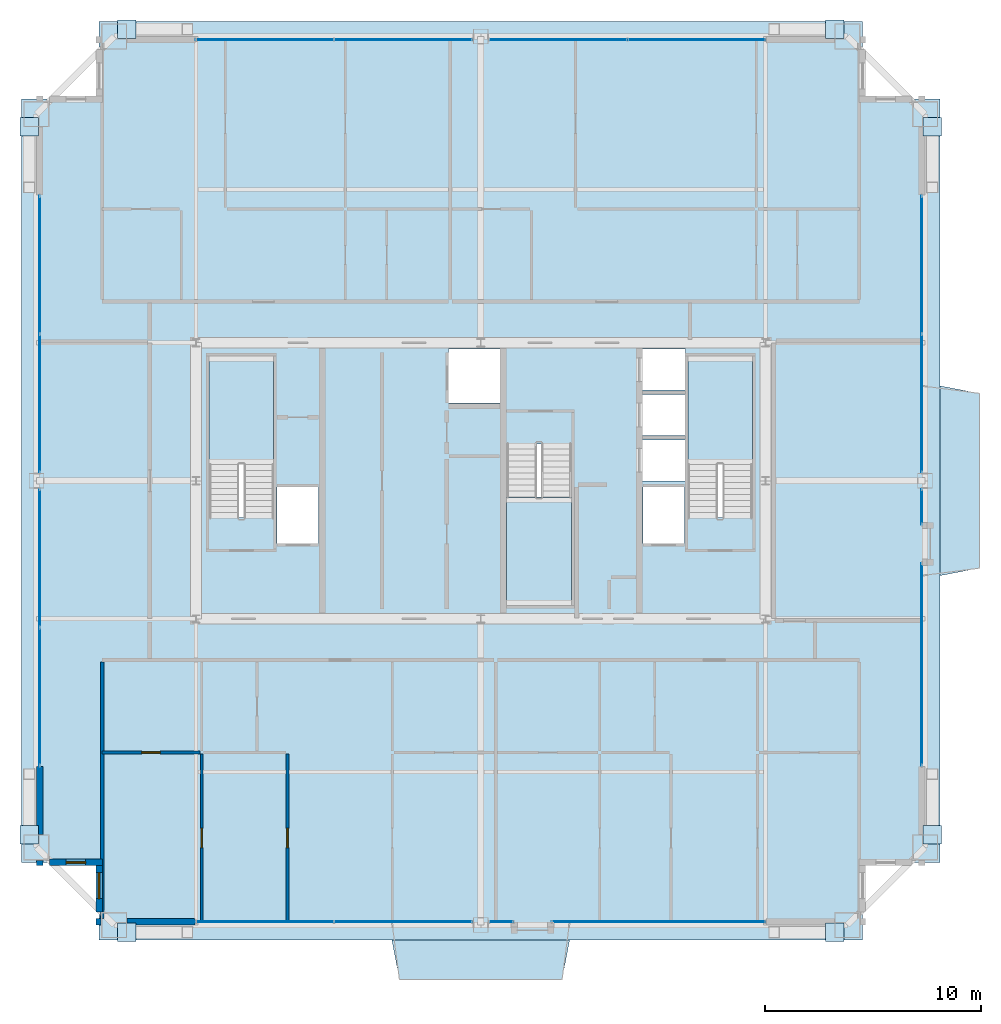
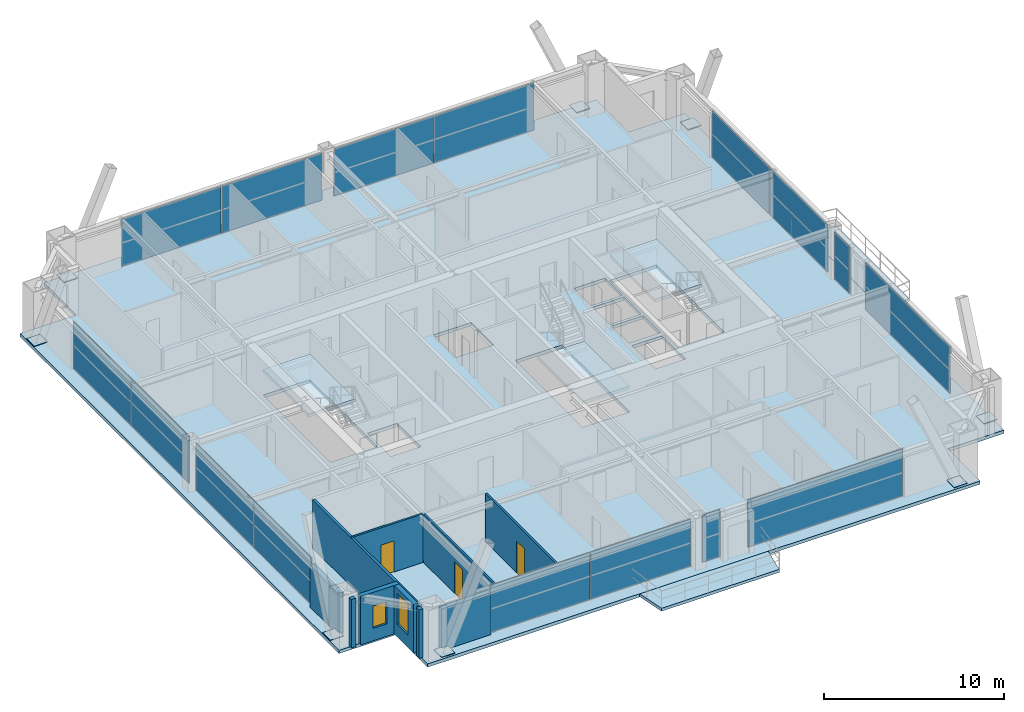
# One storey, part 31 of 37: 24 plates, 10 walls, 6 slabs, 3 doors, 2 windows, 5 openings, 13 elements without a shape of their own.
"""IFC4 building model written with IfcOpenShell, lengths in metres."""

import ifcopenshell
import ifcopenshell.guid

model = None  # the IFC model being written
_history = None  # IfcOwnerHistory: only IFC2X3 demands one
_inside = {}  # id of a spatial element -> (the spatial element, [elements in it])
_under = {}  # id of a project, library or spatial element -> (it, [spatial elements below it])
_declared = {}  # id of a project -> (the project, [libraries it declares])
_typed = {}  # id of a type object -> (the type object, [elements of that type])
_made_of = {}  # id of a material, layer set ... -> (it, [elements and type objects made of it])


def new_model(schema):
    """Start an empty IFC model of exactly this schema.

    Asked for "IFC4X3", IfcOpenShell would pick the latest addendum, in which some entities
    have other attributes; the version numbers below select the first issue.
    IFC2X3 requires an IfcOwnerHistory on every rooted entity: one is made here for all.
    """
    global model, _history
    if schema == "IFC4X3":
        model = ifcopenshell.file(schema_version=(4, 3, 0, 0))
    else:
        model = ifcopenshell.file(schema=schema)
    _inside.clear()
    _under.clear()
    _declared.clear()
    _typed.clear()
    _made_of.clear()
    _history = None
    if model.schema == "IFC2X3":
        org = make("IfcOrganization", Name="unknown")
        user = make(
            "IfcPersonAndOrganization",
            ThePerson=make("IfcPerson", FamilyName="unknown"),
            TheOrganization=org,
        )
        app = make(
            "IfcApplication",
            ApplicationDeveloper=org,
            Version="unknown",
            ApplicationFullName="unknown",
            ApplicationIdentifier="unknown",
        )
        _history = make(
            "IfcOwnerHistory",
            OwningUser=user,
            OwningApplication=app,
            ChangeAction="ADDED",
            CreationDate=0,
        )
    return model


def make(cls, **values):
    """One entity of the class cls with the attributes given. An attribute that is None is left unset."""
    return model.create_entity(
        cls, **{name: value for name, value in values.items() if value is not None}
    )


def rooted(cls, **values):
    """An entity with a GlobalId (a new one), such as an element, a storey or a relation."""
    return make(cls, GlobalId=ifcopenshell.guid.new(), OwnerHistory=_history, **values)


def si_unit(unit_type, name, prefix=None):
    """IfcSIUnit, for example si_unit("LENGTHUNIT", "METRE", prefix="MILLI")."""
    return make("IfcSIUnit", UnitType=unit_type, Prefix=prefix, Name=name)


def assignment(units):
    """IfcUnitAssignment: the units of a project."""
    return None if units is None else make("IfcUnitAssignment", Units=units)


def point(xyz):
    """IfcCartesianPoint."""
    return None if xyz is None else make("IfcCartesianPoint", Coordinates=xyz)


def direction(xyz):
    """IfcDirection."""
    return None if xyz is None else make("IfcDirection", DirectionRatios=xyz)


def frame(location, z_axis=None, x_axis=None):
    """IfcAxis2Placement3D, a coordinate frame: its origin and axes. An axis left out is left unset."""
    return make(
        "IfcAxis2Placement3D",
        Location=point(location),
        Axis=direction(z_axis),
        RefDirection=direction(x_axis),
    )


def frame_2d(location, x_axis=None):
    """IfcAxis2Placement2D, a coordinate frame in the plane: its origin and x axis."""
    return make(
        "IfcAxis2Placement2D", Location=point(location), RefDirection=direction(x_axis)
    )


def origin():
    """The frame at (0, 0, 0) with its axes left unset."""
    return frame((0.0, 0.0, 0.0))


def origin_2d():
    """The frame at (0, 0) in the plane with its x axis left unset."""
    return frame_2d((0.0, 0.0))


def place(relative_to, where):
    """IfcLocalPlacement: puts the frame where relative to a parent placement (None: the world)."""
    return make(
        "IfcLocalPlacement", PlacementRelTo=relative_to, RelativePlacement=where
    )


def context(
    kind, dimensions, precision=None, world=None, true_north=None, identifier=None
):
    """IfcGeometricRepresentationContext, for example the 3D "Model" context."""
    return make(
        "IfcGeometricRepresentationContext",
        ContextIdentifier=identifier,
        ContextType=kind,
        CoordinateSpaceDimension=dimensions,
        Precision=precision,
        WorldCoordinateSystem=world,
        TrueNorth=true_north,
    )


def subcontext(parent, identifier, kind, view, scale=None):
    """IfcGeometricRepresentationSubContext, for example "Body" below "Model"."""
    return make(
        "IfcGeometricRepresentationSubContext",
        ContextIdentifier=identifier,
        ContextType=kind,
        ParentContext=parent,
        TargetScale=scale,
        TargetView=view,
    )


def project(units=None, contexts=None):
    """IfcProject with its units and contexts."""
    return rooted(
        "IfcProject",
        Name="project",
        RepresentationContexts=contexts,
        UnitsInContext=assignment(units),
    )


def spatial(cls, under=None, at=None, **own):
    """A site, building, storey or space (cls), placed at a placement, below another one or the project."""
    s = rooted(cls, ObjectPlacement=at, **own)
    if under is not None:
        _under.setdefault(under.id(), (under, []))[1].append(s)
    return s


def polyline(points):
    """IfcPolyline through the points."""
    return make("IfcPolyline", Points=[point(p) for p in points])


def profile(cls, at=None, kind="AREA", **sizes):
    """A parametric profile (cls). Its sizes go by their IFC names, for example OverallWidth=200.0."""
    return make(cls, ProfileType=kind, Position=at, **sizes)


def rectangle(**sizes):
    """IfcRectangleProfileDef."""
    return profile("IfcRectangleProfileDef", **sizes)


def outline(outer, holes=None, kind="AREA"):
    """IfcArbitraryClosedProfileDef: a profile drawn as a closed curve; with holes, ...WithVoids."""
    if holes is None:
        return make("IfcArbitraryClosedProfileDef", ProfileType=kind, OuterCurve=outer)
    return make(
        "IfcArbitraryProfileDefWithVoids",
        ProfileType=kind,
        OuterCurve=outer,
        InnerCurves=holes,
    )


def extrude(swept, where, along, depth):
    """IfcExtrudedAreaSolid: the profile swept, set in the frame where, extruded along a direction by depth."""
    return make(
        "IfcExtrudedAreaSolid",
        SweptArea=swept,
        Position=where,
        ExtrudedDirection=direction(along),
        Depth=depth,
    )


def shape(context_of_items, identifier, shape_type, items):
    """IfcShapeRepresentation: the items that make up one representation, for example the "Body"."""
    return make(
        "IfcShapeRepresentation",
        ContextOfItems=context_of_items,
        RepresentationIdentifier=identifier,
        RepresentationType=shape_type,
        Items=items,
    )


def source(mapping_origin, context_of_items, identifier, shape_type, items):
    """IfcRepresentationMap: a shape defined once, which mapped items show again and again."""
    return make(
        "IfcRepresentationMap",
        MappingOrigin=mapping_origin,
        MappedRepresentation=shape(context_of_items, identifier, shape_type, items),
    )


def transform(
    local_origin,
    x_axis=None,
    y_axis=None,
    z_axis=None,
    scale=None,
    scale2=None,
    scale3=None,
    uniform=True,
):
    """IfcCartesianTransformationOperator3D, or its non-uniform kind. x_axis, y_axis, z_axis: its Axis1, 2, 3."""
    if uniform:
        return make(
            "IfcCartesianTransformationOperator3D",
            Axis1=direction(x_axis),
            Axis2=direction(y_axis),
            LocalOrigin=point(local_origin),
            Scale=scale,
            Axis3=direction(z_axis),
        )
    return make(
        "IfcCartesianTransformationOperator3DnonUniform",
        Axis1=direction(x_axis),
        Axis2=direction(y_axis),
        LocalOrigin=point(local_origin),
        Scale=scale,
        Axis3=direction(z_axis),
        Scale2=scale2,
        Scale3=scale3,
    )


def mapped(mapping_source, mapping_target):
    """IfcMappedItem: shows the shape of a source again, moved by a transform."""
    return make(
        "IfcMappedItem", MappingSource=mapping_source, MappingTarget=mapping_target
    )


def material(Name=None, Category=None):
    """IfcMaterial."""
    return make("IfcMaterial", Name=Name, Category=Category)


def layer(
    of_material, thickness, ventilated=None, Name=None, Category=None, Priority=None
):
    """IfcMaterialLayer: one layer of a wall or slab, of a material (None: an air gap)."""
    return make(
        "IfcMaterialLayer",
        Material=of_material,
        LayerThickness=thickness,
        IsVentilated=ventilated,
        Name=Name,
        Category=Category,
        Priority=Priority,
    )


def layer_set(layers, Name=None):
    """IfcMaterialLayerSet."""
    return make("IfcMaterialLayerSet", MaterialLayers=layers, LayerSetName=Name)


def made_of(thing, what):
    """Note that an element or type object is made of a material, layer set ...; save() writes the relation."""
    if what is not None:
        _made_of.setdefault(what.id(), (what, []))[1].append(thing)
    return thing


def type_object(cls, material=None, **own):
    """A type object (cls), such as IfcWallType, which elements share."""
    return made_of(rooted(cls, **own), material)


def element(
    cls,
    number,
    at=None,
    inside=None,
    cuts=None,
    type_object=None,
    material=None,
    context=None,
    identifier="Body",
    shape_type=None,
    held_by="IfcProductDefinitionShape",
    body=None,
    shapes=None,
    **own,
):
    """One element of the class cls, such as IfcWall. Its Tag is "e" and its number.

    at: its placement. inside: the storey or other place that contains it. cuts: it is an
    opening in that element (IfcRelVoidsElement). A single representation is given by context,
    identifier, shape_type and body (its items); several are given by shapes. held_by: the class
    of the entity that holds the representations. save() writes the other relations.
    """
    e = rooted(cls, Tag="e%d" % number, ObjectPlacement=at, **own)
    if body is not None:
        shapes = [shape(context, identifier, shape_type, body)]
    if shapes is not None:
        e.Representation = make(held_by, Representations=shapes)
    if inside is not None:
        _inside.setdefault(inside.id(), (inside, []))[1].append(e)
    if cuts is not None:
        rooted(
            "IfcRelVoidsElement", RelatingBuildingElement=cuts, RelatedOpeningElement=e
        )
    if type_object is not None:
        _typed.setdefault(type_object.id(), (type_object, []))[1].append(e)
    return made_of(e, material)


def fill(opening, filler):
    """IfcRelFillsElement: the door or window that sits in an opening."""
    return rooted(
        "IfcRelFillsElement",
        RelatingOpeningElement=opening,
        RelatedBuildingElement=filler,
    )


def aggregate(whole, parts):
    """IfcRelAggregates: a whole, such as a stair, and the parts it consists of."""
    return rooted("IfcRelAggregates", RelatingObject=whole, RelatedObjects=parts)


def save(model, path):
    """Write the relations noted so far, then the file.

    IfcRelAggregates (storeys below a building ...), IfcRelContainedInSpatialStructure (elements
    in a storey), IfcRelDefinesByType, IfcRelAssociatesMaterial and IfcRelDeclares: one each for
    every whole, place, type object, material and project.
    """
    for whole, parts in _under.values():
        aggregate(whole, parts)
    for where, things in _inside.values():
        rooted(
            "IfcRelContainedInSpatialStructure",
            RelatedElements=things,
            RelatingStructure=where,
        )
    for kind, things in _typed.values():
        rooted("IfcRelDefinesByType", RelatedObjects=things, RelatingType=kind)
    for what, things in _made_of.values():
        rooted("IfcRelAssociatesMaterial", RelatedObjects=things, RelatingMaterial=what)
    for by, libraries in _declared.values():
        rooted("IfcRelDeclares", RelatingContext=by, RelatedDefinitions=libraries)
    model.write(path)


model = new_model("IFC4")

# Units and contexts
model_context = context("Model", 3, precision=1e-05, world=origin(), true_north=direction((0.0, 1.0)))
body_context = subcontext(model_context, "Body", "Model", "MODEL_VIEW")
ifc_project = project(units=[si_unit("LENGTHUNIT", "METRE"), si_unit("AREAUNIT", "SQUARE_METRE"), si_unit("VOLUMEUNIT", "CUBIC_METRE"), si_unit("PLANEANGLEUNIT", "RADIAN"), si_unit("MASSUNIT", "GRAM", prefix="KILO"), si_unit("THERMODYNAMICTEMPERATUREUNIT", "KELVIN"), si_unit("POWERUNIT", "WATT")], contexts=[model_context])

# Site, building, storey
site_placement = place(None, origin())
site = spatial("IfcSite", under=ifc_project, at=site_placement, CompositionType="ELEMENT")
building_placement = place(site_placement, origin())
building = spatial("IfcBuilding", under=site, at=building_placement, Name="Yuzanri Waterfront Tower", CompositionType="ELEMENT")
storey_placement = place(building_placement, frame((0.0, 0.0, 278.60009765625)))
storey = spatial("IfcBuildingStorey", under=building, at=storey_placement, Name="L74", CompositionType="ELEMENT", Elevation=278.60009765625)

# Slabs
ifc_material_1 = material(Name="Concrete C40", Category="concrete")
ifc_layer_1 = layer(ifc_material_1, 0.199951171875)
ifc_layer_set_1 = layer_set([ifc_layer_1], Name="Concrete C40")
slab_type_1 = type_object("IfcSlabType", Name="Concrete C40 Cantilevered Engawa Wave Terrace Slab 200", PredefinedType="FLOOR", material=ifc_layer_set_1)
slab_1_placement = place(storey_placement, frame((0.0, 0.0, -0.2001953125)))
element("IfcSlab", 1, at=slab_1_placement, inside=storey, type_object=slab_type_1, Name="L74 S Cantilevered Engawa Terrace Slab", PredefinedType="FLOOR", context=body_context, shape_type="SweptSolid", body=[
    extrude(outline(polyline([(32.87939453125, 4.5), (41.12060546875, 4.5), (40.7705078125, 2.675048828125), (33.2294921875, 2.675048828125), (32.87939453125, 4.5)])), origin(), (0.0, 0.0, 1.0), 0.2001953125),
])
slab_2_placement = place(storey_placement, frame((0.0, 0.0, -0.2001953125)))
element("IfcSlab", 2, at=slab_2_placement, inside=storey, type_object=slab_type_1, Name="L74 E Cantilevered Engawa Terrace Slab", PredefinedType="FLOOR", context=body_context, shape_type="SweptSolid", body=[
    extrude(outline(polyline([(58.300048828125, 21.39990234375), (60.125, 21.75), (60.125, 29.85009765625), (58.300048828125, 30.199951171875), (58.300048828125, 21.39990234375)])), origin(), (0.0, 0.0, 1.0), 0.2001953125),
])

# Stair, slab
ifc_material_2 = material(Name="Concrete C40", Category="concrete")
stair_type = type_object("IfcStairType", Name="Concrete C40 Core Dogleg Exit Stair", PredefinedType="HALF_TURN_STAIR", material=ifc_material_2)
stair_1_placement = place(storey_placement, origin())
stair_1 = element("IfcStair", 3, at=stair_1_placement, inside=storey, type_object=stair_type, Name="L74 Smoke-Proof Core Stair ST-01", PredefinedType="HALF_TURN_STAIR")
ifc_material_3 = material(Name="Concrete C40", Category="concrete")
ifc_layer_2 = layer(ifc_material_3, 0.179931640625)
ifc_layer_set_2 = layer_set([ifc_layer_2], Name="Concrete C40")
slab_type_2 = type_object("IfcSlabType", Name="Concrete C40 Stair Half-Landing Slab 180", PredefinedType="LANDING", material=ifc_layer_set_2)
slab_3_placement = place(storey_placement, frame((0.0, 0.0, 1.5498046875)))
slab_3 = element("IfcSlab", 4, at=slab_3_placement, type_object=slab_type_2, Name="ST-01 landing 1", PredefinedType="LANDING", context=body_context, shape_type="SweptSolid", body=[
    extrude(outline(polyline([(27.39990234375, 26.56005859375), (27.39990234375, 31.580078125), (24.39990234375, 31.580078125), (24.39990234375, 26.56005859375), (27.39990234375, 26.56005859375)])), origin(), (0.0, 0.0, 1.0), 0.2001953125),
])
aggregate(stair_1, [slab_3])

stair_2_placement = place(storey_placement, origin())
stair_2 = element("IfcStair", 5, at=stair_2_placement, inside=storey, type_object=stair_type, Name="L74 Smoke-Proof Core Stair ST-02", PredefinedType="HALF_TURN_STAIR")
slab_4_placement = place(storey_placement, frame((0.0, 0.0, 1.5498046875)))
slab_4 = element("IfcSlab", 6, at=slab_4_placement, type_object=slab_type_2, Name="ST-02 landing 1", PredefinedType="LANDING", context=body_context, shape_type="SweptSolid", body=[
    extrude(outline(polyline([(49.60009765625, 26.56005859375), (49.60009765625, 31.580078125), (46.60009765625, 31.580078125), (46.60009765625, 26.56005859375), (49.60009765625, 26.56005859375)])), origin(), (0.0, 0.0, 1.0), 0.2001953125),
])
aggregate(stair_2, [slab_4])

stair_3_placement = place(storey_placement, origin())
stair_3 = element("IfcStair", 7, at=stair_3_placement, inside=storey, type_object=stair_type, Name="L74 Smoke-Proof Core Stair ST-03", PredefinedType="HALF_TURN_STAIR")
slab_5_placement = place(storey_placement, frame((0.0, 0.0, 1.5498046875)))
slab_5 = element("IfcSlab", 8, at=slab_5_placement, type_object=slab_type_2, Name="ST-03 landing 1", PredefinedType="LANDING", context=body_context, shape_type="SweptSolid", body=[
    extrude(outline(polyline([(38.199951171875, 25.0400390625), (38.199951171875, 20.02001953125), (41.199951171875, 20.02001953125), (41.199951171875, 25.0400390625), (38.199951171875, 25.0400390625)])), origin(), (0.0, 0.0, 1.0), 0.2001953125),
])
aggregate(stair_3, [slab_5])

# Slab
ifc_material_4 = material(Name="Concrete C40", Category="concrete")
ifc_layer_3 = layer(ifc_material_4, 0.219970703125)
ifc_layer_set_3 = layer_set([ifc_layer_3], Name="Concrete C40")
slab_type_3 = type_object("IfcSlabType", Name="Concrete C40 Tower Typical Structural Floor Slab 220", PredefinedType="FLOOR", material=ifc_layer_set_3)
slab_6_placement = place(storey_placement, frame((0.0, 0.0, -0.22021484375)))
element("IfcSlab", 9, at=slab_6_placement, inside=storey, type_object=slab_type_3, Name="L74 Main Structural Floor Slab", PredefinedType="FLOOR", context=body_context, shape_type="SweptSolid", body=[
    extrude(outline(polyline([(19.300048828125, 4.5), (54.699951171875, 4.5), (54.699951171875, 8.10009765625), (58.300048828125, 8.10009765625), (58.300048828125, 43.5), (54.699951171875, 43.5), (54.699951171875, 47.10009765625), (19.300048828125, 47.10009765625), (19.300048828125, 43.5), (15.699951171875, 43.5), (15.699951171875, 8.10009765625), (19.300048828125, 8.10009765625), (19.300048828125, 4.5)]), holes=[polyline([(27.39990234375, 24.10009765625), (27.39990234375, 31.580078125), (24.39990234375, 31.580078125), (24.39990234375, 24.10009765625), (27.39990234375, 24.10009765625)]), polyline([(49.60009765625, 24.10009765625), (49.60009765625, 31.580078125), (46.60009765625, 31.580078125), (46.60009765625, 24.10009765625), (49.60009765625, 24.10009765625)]), polyline([(38.199951171875, 27.5), (38.199951171875, 20.02001953125), (41.199951171875, 20.02001953125), (41.199951171875, 27.5), (38.199951171875, 27.5)]), polyline([(27.56005859375, 22.89990234375), (29.47998046875, 22.89990234375), (29.47998046875, 25.5), (27.56005859375, 25.5), (27.56005859375, 22.89990234375)]), polyline([(44.52001953125, 22.89990234375), (46.43994140625, 22.89990234375), (46.43994140625, 25.5), (44.52001953125, 25.5), (44.52001953125, 22.89990234375)]), polyline([(35.5, 29.39990234375), (37.89990234375, 29.39990234375), (37.89990234375, 31.89990234375), (35.5, 31.89990234375), (35.5, 29.39990234375)]), polyline([(44.5, 25.800048828125), (46.5, 25.800048828125), (46.5, 27.699951171875), (44.5, 27.699951171875), (44.5, 25.800048828125)]), polyline([(44.5, 27.89990234375), (46.5, 27.89990234375), (46.5, 29.800048828125), (44.5, 29.800048828125), (44.5, 27.89990234375)]), polyline([(44.5, 30.0), (46.5, 30.0), (46.5, 31.89990234375), (44.5, 31.89990234375), (44.5, 30.0)])]), origin(), (0.0, 0.0, 1.0), 0.22021484375),
])

# Plates
ifc_material_5 = material(Name="Steel Q420GJC", Category="steel")
ifc_layer_4 = layer(ifc_material_5, 0.0400390625)
ifc_layer_set_4 = layer_set([ifc_layer_4], Name="Steel Q420GJC")
plate_type_1 = type_object("IfcPlateType", Name="Steel Q420GJC Mega-Brace Gusset and End-Cap Plate 40", PredefinedType="SHEET", material=ifc_layer_set_4)
shared_shape_1 = source(origin(), body_context, "Body", "SweptSolid", [
    extrude(rectangle(XDim=0.85009765625, YDim=0.85009765625, at=origin_2d()), origin(), (0.0, 0.0, 1.0), 0.0400390625),
])
for number, where, z_axis, x_axis, name in (
    (10, (20.580078125, 4.860107421875, 0.159912109375), (0.0, 0.0, 1.0), (1.0, 0.0, 0.0), "L74 Mega-Brace Foot Cap Plate S-L"),
    (11, (53.419921875, 4.860107421875, 0.159912109375), (0.0, 0.0, 1.0), (1.0, 0.0, 0.0), "L74 Mega-Brace Foot Cap Plate S-R"),
    (12, (20.580078125, 46.739990234375, 0.159912109375), (0.0, 0.0, 1.0), (1.0, 0.0, 0.0), "L74 Mega-Brace Foot Cap Plate N-L"),
    (13, (53.419921875, 46.739990234375, 0.159912109375), (0.0, 0.0, 1.0), (1.0, 0.0, 0.0), "L74 Mega-Brace Foot Cap Plate N-R"),
    (14, (16.06005859375, 9.3798828125, 0.159912109375), (0.0, 0.0, 1.0), (1.0, 0.0, 0.0), "L74 Mega-Brace Foot Cap Plate W-L"),
    (15, (16.06005859375, 42.219970703125, 0.159912109375), (0.0, 0.0, 1.0), (1.0, 0.0, 0.0), "L74 Mega-Brace Foot Cap Plate W-R"),
    (16, (57.93994140625, 9.3798828125, 0.159912109375), (0.0, 0.0, 1.0), (1.0, 0.0, 0.0), "L74 Mega-Brace Foot Cap Plate E-L"),
    (17, (57.93994140625, 42.219970703125, 0.159912109375), (0.0, 0.0, 1.0), (1.0, 0.0, 0.0), "L74 Mega-Brace Foot Cap Plate E-R"),
):
    element("IfcPlate", number, at=place(storey_placement, frame(where, z_axis=z_axis, x_axis=x_axis)), inside=storey, type_object=plate_type_1, Name=name, PredefinedType="SHEET", context=body_context, shape_type="MappedRepresentation", body=[
        mapped(shared_shape_1, transform((0.0, 0.0, 0.0), scale=1.0)),
    ])

# Curtain wall, plates
ifc_material_6 = material(Name="Anodized Architectural Bronze", Category="metal")
ifc_layer_5 = layer(ifc_material_6, 0.159912109375)
ifc_layer_set_5 = layer_set([ifc_layer_5], Name="Anodized Architectural Bronze")
curtain_wall_type = type_object("IfcCurtainWallType", Name="Anodized Bronze Mid-Rise Residential Acoustic Unitized Curtain Wall 7200", PredefinedType="NOTDEFINED", material=ifc_layer_set_5)
curtain_wall_1_placement = place(storey_placement, origin())
curtain_wall_1 = element("IfcCurtainWall", 18, at=curtain_wall_1_placement, inside=storey, type_object=curtain_wall_type, Name="L74 Curtain Wall CW-L74-SL", PredefinedType="NOTDEFINED")
ifc_material_7 = material(Name="Triple Low-E Laminated Insulated Glass", Category="glass")
ifc_layer_6 = layer(ifc_material_7, 0.0439453125)
ifc_layer_set_6 = layer_set([ifc_layer_6], Name="Triple Low-E Laminated Insulated Glass")
plate_type_2 = type_object("IfcPlateType", Name="Triple Glazed Acoustic Vision Glass Panel 44", PredefinedType="CURTAIN_PANEL", material=ifc_layer_set_6)
shared_shape_2 = source(origin(), body_context, "Body", "SweptSolid", [
    extrude(rectangle(XDim=6.3701171875, YDim=0.0439453125, at=origin_2d()), origin(), (0.0, 0.0, 1.0), 3.179931640625),
])
plate_1_placement = place(storey_placement, frame((26.97509765625, 5.35009765625, 0.0498046875), z_axis=(0.0, 0.0, 1.0), x_axis=(1.0, 0.0, 0.0)))
plate_1 = element("IfcPlate", 19, at=plate_1_placement, type_object=plate_type_2, Name="CW-L74-SL Vision Glass Panel 01", PredefinedType="CURTAIN_PANEL", context=body_context, shape_type="MappedRepresentation", body=[
    mapped(shared_shape_2, transform((0.0, 0.0, 0.0), scale=1.0)),
])
plate_2_placement = place(storey_placement, frame((33.425048828125, 5.35009765625, 0.0498046875), z_axis=(0.0, 0.0, 1.0), x_axis=(1.0, 0.0, 0.0)))
plate_2 = element("IfcPlate", 20, at=plate_2_placement, type_object=plate_type_2, Name="CW-L74-SL Vision Glass Panel 02", PredefinedType="CURTAIN_PANEL", context=body_context, shape_type="MappedRepresentation", body=[
    mapped(shared_shape_2, transform((0.0, 0.0, 0.0), scale=1.0)),
])
aggregate(curtain_wall_1, [plate_1, plate_2])

curtain_wall_2_placement = place(storey_placement, origin())
curtain_wall_2 = element("IfcCurtainWall", 21, at=curtain_wall_2_placement, inside=storey, type_object=curtain_wall_type, Name="L74 Curtain Wall CW-L74-NL", PredefinedType="NOTDEFINED")
plate_3_placement = place(storey_placement, frame((26.97509765625, 46.25, 0.0498046875), z_axis=(0.0, 0.0, 1.0), x_axis=(1.0, 0.0, 0.0)))
plate_3 = element("IfcPlate", 22, at=plate_3_placement, type_object=plate_type_2, Name="CW-L74-NL Vision Glass Panel 01", PredefinedType="CURTAIN_PANEL", context=body_context, shape_type="MappedRepresentation", body=[
    mapped(shared_shape_2, transform((0.0, 0.0, 0.0), scale=1.0)),
])
plate_4_placement = place(storey_placement, frame((33.425048828125, 46.25, 0.0498046875), z_axis=(0.0, 0.0, 1.0), x_axis=(1.0, 0.0, 0.0)))
plate_4 = element("IfcPlate", 23, at=plate_4_placement, type_object=plate_type_2, Name="CW-L74-NL Vision Glass Panel 02", PredefinedType="CURTAIN_PANEL", context=body_context, shape_type="MappedRepresentation", body=[
    mapped(shared_shape_2, transform((0.0, 0.0, 0.0), scale=1.0)),
])
aggregate(curtain_wall_2, [plate_3, plate_4])

curtain_wall_3_placement = place(storey_placement, origin())
curtain_wall_3 = element("IfcCurtainWall", 24, at=curtain_wall_3_placement, inside=storey, type_object=curtain_wall_type, Name="L74 Curtain Wall CW-L74-NR", PredefinedType="NOTDEFINED")
plate_5_placement = place(storey_placement, frame((40.574951171875, 46.25, 0.0498046875), z_axis=(0.0, 0.0, 1.0), x_axis=(1.0, 0.0, 0.0)))
plate_5 = element("IfcPlate", 25, at=plate_5_placement, type_object=plate_type_2, Name="CW-L74-NR Vision Glass Panel 01", PredefinedType="CURTAIN_PANEL", context=body_context, shape_type="MappedRepresentation", body=[
    mapped(shared_shape_2, transform((0.0, 0.0, 0.0), scale=1.0)),
])
plate_6_placement = place(storey_placement, frame((47.02490234375, 46.25, 0.0498046875), z_axis=(0.0, 0.0, 1.0), x_axis=(1.0, 0.0, 0.0)))
plate_6 = element("IfcPlate", 26, at=plate_6_placement, type_object=plate_type_2, Name="CW-L74-NR Vision Glass Panel 02", PredefinedType="CURTAIN_PANEL", context=body_context, shape_type="MappedRepresentation", body=[
    mapped(shared_shape_2, transform((0.0, 0.0, 0.0), scale=1.0)),
])
aggregate(curtain_wall_3, [plate_5, plate_6])

curtain_wall_4_placement = place(storey_placement, origin())
curtain_wall_4 = element("IfcCurtainWall", 27, at=curtain_wall_4_placement, inside=storey, type_object=curtain_wall_type, Name="L74 Curtain Wall CW-L74-WL", PredefinedType="NOTDEFINED")
plate_7_placement = place(storey_placement, frame((16.550048828125, 15.77490234375, 0.0498046875), z_axis=(0.0, 0.0, 1.0), x_axis=(0.0, 1.0, 0.0)))
plate_7 = element("IfcPlate", 28, at=plate_7_placement, type_object=plate_type_2, Name="CW-L74-WL Vision Glass Panel 01", PredefinedType="CURTAIN_PANEL", context=body_context, shape_type="MappedRepresentation", body=[
    mapped(shared_shape_2, transform((0.0, 0.0, 0.0), scale=1.0)),
])
plate_8_placement = place(storey_placement, frame((16.550048828125, 22.22509765625, 0.0498046875), z_axis=(0.0, 0.0, 1.0), x_axis=(0.0, 1.0, 0.0)))
plate_8 = element("IfcPlate", 29, at=plate_8_placement, type_object=plate_type_2, Name="CW-L74-WL Vision Glass Panel 02", PredefinedType="CURTAIN_PANEL", context=body_context, shape_type="MappedRepresentation", body=[
    mapped(shared_shape_2, transform((0.0, 0.0, 0.0), scale=1.0)),
])
aggregate(curtain_wall_4, [plate_7, plate_8])

curtain_wall_5_placement = place(storey_placement, origin())
curtain_wall_5 = element("IfcCurtainWall", 30, at=curtain_wall_5_placement, inside=storey, type_object=curtain_wall_type, Name="L74 Curtain Wall CW-L74-WR", PredefinedType="NOTDEFINED")
plate_9_placement = place(storey_placement, frame((16.550048828125, 29.375, 0.0498046875), z_axis=(0.0, 0.0, 1.0), x_axis=(0.0, 1.0, 0.0)))
plate_9 = element("IfcPlate", 31, at=plate_9_placement, type_object=plate_type_2, Name="CW-L74-WR Vision Glass Panel 01", PredefinedType="CURTAIN_PANEL", context=body_context, shape_type="MappedRepresentation", body=[
    mapped(shared_shape_2, transform((0.0, 0.0, 0.0), scale=1.0)),
])
plate_10_placement = place(storey_placement, frame((16.550048828125, 35.824951171875, 0.0498046875), z_axis=(0.0, 0.0, 1.0), x_axis=(0.0, 1.0, 0.0)))
plate_10 = element("IfcPlate", 32, at=plate_10_placement, type_object=plate_type_2, Name="CW-L74-WR Vision Glass Panel 02", PredefinedType="CURTAIN_PANEL", context=body_context, shape_type="MappedRepresentation", body=[
    mapped(shared_shape_2, transform((0.0, 0.0, 0.0), scale=1.0)),
])
aggregate(curtain_wall_5, [plate_9, plate_10])

curtain_wall_6_placement = place(storey_placement, origin())
curtain_wall_6 = element("IfcCurtainWall", 33, at=curtain_wall_6_placement, inside=storey, type_object=curtain_wall_type, Name="L74 Curtain Wall CW-L74-ER", PredefinedType="NOTDEFINED")
plate_11_placement = place(storey_placement, frame((57.449951171875, 29.375, 0.0498046875), z_axis=(0.0, 0.0, 1.0), x_axis=(0.0, 1.0, 0.0)))
plate_11 = element("IfcPlate", 34, at=plate_11_placement, type_object=plate_type_2, Name="CW-L74-ER Vision Glass Panel 01", PredefinedType="CURTAIN_PANEL", context=body_context, shape_type="MappedRepresentation", body=[
    mapped(shared_shape_2, transform((0.0, 0.0, 0.0), scale=1.0)),
])
plate_12_placement = place(storey_placement, frame((57.449951171875, 35.824951171875, 0.0498046875), z_axis=(0.0, 0.0, 1.0), x_axis=(0.0, 1.0, 0.0)))
plate_12 = element("IfcPlate", 35, at=plate_12_placement, type_object=plate_type_2, Name="CW-L74-ER Vision Glass Panel 02", PredefinedType="CURTAIN_PANEL", context=body_context, shape_type="MappedRepresentation", body=[
    mapped(shared_shape_2, transform((0.0, 0.0, 0.0), scale=1.0)),
])
aggregate(curtain_wall_6, [plate_11, plate_12])

# Curtain wall, plate
curtain_wall_7_placement = place(storey_placement, origin())
curtain_wall_7 = element("IfcCurtainWall", 36, at=curtain_wall_7_placement, inside=storey, type_object=curtain_wall_type, Name="L74 Curtain Wall CW-L74-SR1", PredefinedType="NOTDEFINED")
shared_shape_3 = source(origin(), body_context, "Body", "SweptSolid", [
    extrude(rectangle(XDim=1.1201171875, YDim=0.0439453125, at=origin_2d()), origin(), (0.0, 0.0, 1.0), 3.179931640625),
])
plate_13_placement = place(storey_placement, frame((37.949951171875, 5.35009765625, 0.0498046875), z_axis=(0.0, 0.0, 1.0), x_axis=(1.0, 0.0, 0.0)))
plate_13 = element("IfcPlate", 37, at=plate_13_placement, type_object=plate_type_2, Name="CW-L74-SR1 Vision Glass Panel 01", PredefinedType="CURTAIN_PANEL", context=body_context, shape_type="MappedRepresentation", body=[
    mapped(shared_shape_3, transform((0.0, 0.0, 0.0), scale=1.0)),
])
aggregate(curtain_wall_7, [plate_13])

curtain_wall_8_placement = place(storey_placement, origin())
curtain_wall_8 = element("IfcCurtainWall", 38, at=curtain_wall_8_placement, inside=storey, type_object=curtain_wall_type, Name="L74 Curtain Wall CW-L74-SR2", PredefinedType="NOTDEFINED")
shared_shape_4 = source(origin(), body_context, "Body", "SweptSolid", [
    extrude(rectangle(XDim=9.919921875, YDim=0.0439453125, at=origin_2d()), origin(), (0.0, 0.0, 1.0), 3.179931640625),
])
plate_14_placement = place(storey_placement, frame((45.25, 5.35009765625, 0.0498046875), z_axis=(0.0, 0.0, 1.0), x_axis=(1.0, 0.0, 0.0)))
plate_14 = element("IfcPlate", 39, at=plate_14_placement, type_object=plate_type_2, Name="CW-L74-SR2 Vision Glass Panel 01", PredefinedType="CURTAIN_PANEL", context=body_context, shape_type="MappedRepresentation", body=[
    mapped(shared_shape_4, transform((0.0, 0.0, 0.0), scale=1.0)),
])
aggregate(curtain_wall_8, [plate_14])

curtain_wall_9_placement = place(storey_placement, origin())
curtain_wall_9 = element("IfcCurtainWall", 40, at=curtain_wall_9_placement, inside=storey, type_object=curtain_wall_type, Name="L74 Curtain Wall CW-L74-EL1", PredefinedType="NOTDEFINED")
shared_shape_5 = source(origin(), body_context, "Body", "SweptSolid", [
    extrude(rectangle(XDim=9.39501953125, YDim=0.0439453125, at=origin_2d()), origin(), (0.0, 0.0, 1.0), 3.179931640625),
])
plate_15_placement = place(storey_placement, frame((57.449951171875, 17.28759765625, 0.0498046875), z_axis=(0.0, 0.0, 1.0), x_axis=(0.0, 1.0, 0.0)))
plate_15 = element("IfcPlate", 41, at=plate_15_placement, type_object=plate_type_2, Name="CW-L74-EL1 Vision Glass Panel 01", PredefinedType="CURTAIN_PANEL", context=body_context, shape_type="MappedRepresentation", body=[
    mapped(shared_shape_5, transform((0.0, 0.0, 0.0), scale=1.0)),
])
aggregate(curtain_wall_9, [plate_15])

curtain_wall_10_placement = place(storey_placement, origin())
curtain_wall_10 = element("IfcCurtainWall", 42, at=curtain_wall_10_placement, inside=storey, type_object=curtain_wall_type, Name="L74 Curtain Wall CW-L74-EL2", PredefinedType="NOTDEFINED")
shared_shape_6 = source(origin(), body_context, "Body", "SweptSolid", [
    extrude(rectangle(XDim=1.64501953125, YDim=0.0439453125, at=origin_2d()), origin(), (0.0, 0.0, 1.0), 3.179931640625),
])
plate_16_placement = place(storey_placement, frame((57.449951171875, 24.58740234375, 0.0498046875), z_axis=(0.0, 0.0, 1.0), x_axis=(0.0, 1.0, 0.0)))
plate_16 = element("IfcPlate", 43, at=plate_16_placement, type_object=plate_type_2, Name="CW-L74-EL2 Vision Glass Panel 01", PredefinedType="CURTAIN_PANEL", context=body_context, shape_type="MappedRepresentation", body=[
    mapped(shared_shape_6, transform((0.0, 0.0, 0.0), scale=1.0)),
])
aggregate(curtain_wall_10, [plate_16])

# Wall, opening, door
ifc_material_8 = material(Name="Moisture-Resistant Gypsum Stud Wall", Category="gypsum")
ifc_layer_7 = layer(ifc_material_8, 0.1201171875)
ifc_layer_set_7 = layer_set([ifc_layer_7], Name="Moisture-Resistant Gypsum Stud Wall")
wall_type_1 = type_object("IfcWallType", Name="Bathroom and Kitchen Wet Partition 120", PredefinedType="PARTITIONING", material=ifc_layer_set_7)
wall_1_placement = place(storey_placement, frame((19.43994140625, 13.199951171875, 0.0), z_axis=(0.0, 0.0, 1.0), x_axis=(1.0, 0.0, 0.0)))
wall_1 = element("IfcWall", 44, at=wall_1_placement, inside=storey, type_object=wall_type_1, Name="L74 Partition UW-L74-HS1-SUB-1-S", PredefinedType="PARTITIONING", context=body_context, shape_type="SweptSolid", body=[
    extrude(rectangle(XDim=4.545166015625, YDim=0.1201171875, at=frame_2d((2.2724609375, 0.0))), origin(), (0.0, 0.0, 1.0), 3.27978515625),
])
opening_1_placement = place(wall_1_placement, frame((1.847412109375, 0.0, 0.0)))
opening_1 = element("IfcOpeningElement", 45, at=opening_1_placement, cuts=wall_1, Name="Opening ID-0850", PredefinedType="OPENING", context=body_context, shape_type="SweptSolid", body=[
    extrude(rectangle(XDim=0.85009765625, YDim=2.10009765625, at=frame_2d((0.425048828125, 1.050048828125))), frame((0.0, 0.074951171875, 0.0), z_axis=(0.0, -1.0, 0.0), x_axis=(1.0, 0.0, 0.0)), (0.0, 0.0, 1.0), 0.14990234375),
])
ifc_material_9 = material(Name="Moisture-Resistant Lacquered Timber", Category="wood")
door_type_1 = type_object("IfcDoorType", Name="En-Suite Bathroom and Kitchen Swing Door 850x2100", OperationType="NOTDEFINED", PredefinedType="DOOR", material=ifc_material_9)
shared_shape_7 = source(origin(), body_context, "Body", "SweptSolid", [
    extrude(rectangle(XDim=0.85009765625, YDim=2.10009765625, at=frame_2d((0.425048828125, 1.050048828125))), frame((0.0, 0.02490234375, 0.0), z_axis=(0.0, -1.0, 0.0), x_axis=(1.0, 0.0, 0.0)), (0.0, 0.0, 1.0), 0.050048828125),
])
door_1_placement = place(opening_1_placement, origin())
door_1 = element("IfcDoor", 46, at=door_1_placement, inside=storey, type_object=door_type_1, Name="L74 Suite Interior Room Door", OperationType="SINGLE_SWING_RIGHT", OverallHeight=2.10009765625, OverallWidth=0.85009765625, PredefinedType="DOOR", context=body_context, shape_type="MappedRepresentation", body=[
    mapped(shared_shape_7, transform((0.0, 0.0, 0.0), scale=1.0)),
])
fill(opening_1, door_1)

wall_2_placement = place(storey_placement, frame((24.06494140625, 5.35009765625, 0.0), z_axis=(0.0, 0.0, 1.0), x_axis=(0.0, 1.0, 0.0)))
wall_2 = element("IfcWall", 47, at=wall_2_placement, inside=storey, type_object=wall_type_1, Name="L74 Partition UW-L74-HS1-SUB-4-E", PredefinedType="PARTITIONING", context=body_context, shape_type="SweptSolid", body=[
    extrude(rectangle(XDim=7.77001953125, YDim=0.1201171875, at=frame_2d((3.885009765625, 0.0))), origin(), (0.0, 0.0, 1.0), 3.27978515625),
])
opening_2_placement = place(wall_2_placement, frame((3.43505859375, 0.0, 0.0)))
opening_2 = element("IfcOpeningElement", 48, at=opening_2_placement, cuts=wall_2, Name="Opening ID-0900", PredefinedType="OPENING", context=body_context, shape_type="SweptSolid", body=[
    extrude(rectangle(XDim=0.89990234375, YDim=2.14990234375, at=frame_2d((0.449951171875, 1.074951171875))), frame((0.0, 0.074951171875, 0.0), z_axis=(0.0, -1.0, 0.0), x_axis=(1.0, 0.0, 0.0)), (0.0, 0.0, 1.0), 0.14990234375),
])
ifc_material_10 = material(Name="Stained Walnut Veneer Timber", Category="wood")
door_type_2 = type_object("IfcDoorType", Name="Bedroom and Study Interior Swing Door 900x2150", OperationType="NOTDEFINED", PredefinedType="DOOR", material=ifc_material_10)
shared_shape_8 = source(origin(), body_context, "Body", "SweptSolid", [
    extrude(rectangle(XDim=0.89990234375, YDim=2.14990234375, at=frame_2d((0.449951171875, 1.074951171875))), frame((0.0, 0.02490234375, 0.0), z_axis=(0.0, -1.0, 0.0), x_axis=(1.0, 0.0, 0.0)), (0.0, 0.0, 1.0), 0.050048828125),
])
door_2_placement = place(opening_2_placement, origin())
door_2 = element("IfcDoor", 49, at=door_2_placement, inside=storey, type_object=door_type_2, Name="L74 Suite Interior Room Door", OperationType="SINGLE_SWING_LEFT", OverallHeight=2.14990234375, OverallWidth=0.89990234375, PredefinedType="DOOR", context=body_context, shape_type="MappedRepresentation", body=[
    mapped(shared_shape_8, transform((0.0, 0.0, 0.0), scale=1.0)),
])
fill(opening_2, door_2)

wall_3_placement = place(storey_placement, frame((28.0400390625, 5.35009765625, 0.0), z_axis=(0.0, 0.0, 1.0), x_axis=(0.0, 1.0, 0.0)))
wall_3 = element("IfcWall", 50, at=wall_3_placement, inside=storey, type_object=wall_type_1, Name="L74 Partition UW-L74-HS1-SUB-6-E", PredefinedType="PARTITIONING", context=body_context, shape_type="SweptSolid", body=[
    extrude(rectangle(XDim=7.77001953125, YDim=0.1201171875, at=frame_2d((3.885009765625, 0.0))), origin(), (0.0, 0.0, 1.0), 3.27978515625),
])
opening_3_placement = place(wall_3_placement, frame((3.43505859375, 0.0, 0.0)))
opening_3 = element("IfcOpeningElement", 51, at=opening_3_placement, cuts=wall_3, Name="Opening ID-0900", PredefinedType="OPENING", context=body_context, shape_type="SweptSolid", body=[
    extrude(rectangle(XDim=0.89990234375, YDim=2.14990234375, at=frame_2d((0.449951171875, 1.074951171875))), frame((0.0, 0.074951171875, 0.0), z_axis=(0.0, -1.0, 0.0), x_axis=(1.0, 0.0, 0.0)), (0.0, 0.0, 1.0), 0.14990234375),
])
door_3_placement = place(opening_3_placement, origin())
door_3 = element("IfcDoor", 52, at=door_3_placement, inside=storey, type_object=door_type_2, Name="L74 Suite Interior Room Door", OperationType="SINGLE_SWING_LEFT", OverallHeight=2.14990234375, OverallWidth=0.89990234375, PredefinedType="DOOR", context=body_context, shape_type="MappedRepresentation", body=[
    mapped(shared_shape_8, transform((0.0, 0.0, 0.0), scale=1.0)),
])
fill(opening_3, door_3)

# Wall, opening, window
ifc_material_11 = material(Name="Honed Chongqing Dark Basalt Stone", Category="masonry")
ifc_layer_8 = layer(ifc_material_11, 0.300048828125)
ifc_layer_set_8 = layer_set([ifc_layer_8], Name="Honed Chongqing Dark Basalt Stone")
wall_type_2 = type_object("IfcWallType", Name="Bronze Rainscreen Insulated Spandrel Portal Wall 300", PredefinedType="SOLIDWALL", material=ifc_layer_set_8)
wall_4_placement = place(storey_placement, frame((17.0, 8.10009765625, 0.0), z_axis=(0.0, 0.0, 1.0), x_axis=(1.0, 0.0, 0.0)))
wall_4 = element("IfcWall", 53, at=wall_4_placement, inside=storey, type_object=wall_type_2, Name="L74 Notched Corner Masonry Wall SW-X", PredefinedType="SOLIDWALL", context=body_context, shape_type="SweptSolid", body=[
    extrude(rectangle(XDim=2.449951171875, YDim=0.300048828125, at=frame_2d((1.22509765625, 0.0))), origin(), (0.0, 0.0, 1.0), 3.27978515625),
])
opening_4_placement = place(wall_4_placement, frame((0.77490234375, 0.0, 0.85009765625)))
opening_4 = element("IfcOpeningElement", 54, at=opening_4_placement, cuts=wall_4, Name="Opening WN-05", PredefinedType="OPENING", context=body_context, shape_type="SweptSolid", body=[
    extrude(rectangle(XDim=0.89990234375, YDim=1.5, at=frame_2d((0.449951171875, 0.75))), frame((0.0, 0.1650390625, 0.0), z_axis=(0.0, -1.0, 0.0), x_axis=(1.0, 0.0, 0.0)), (0.0, 0.0, 1.0), 0.329833984375),
])
ifc_material_12 = material(Name="Double-Silver Low-E Insulated Glass", Category="glass")
window_type_1 = type_object("IfcWindowType", Name="Anodized Bronze Service and Stairwell Smoke-Vent Window 900x1500", PartitioningType="SINGLE_PANEL", PredefinedType="WINDOW", material=ifc_material_12)
shared_shape_9 = source(origin(), body_context, "Body", "SweptSolid", [
    extrude(rectangle(XDim=0.89990234375, YDim=1.5, at=frame_2d((0.449951171875, 0.75))), frame((0.0, 0.030029296875, 0.0), z_axis=(0.0, -1.0, 0.0), x_axis=(1.0, 0.0, 0.0)), (0.0, 0.0, 1.0), 0.06005859375),
])
window_1_placement = place(opening_4_placement, origin())
window_1 = element("IfcWindow", 55, at=window_1_placement, inside=storey, type_object=window_type_1, Name="L74 Notched Corner Window SW-X", OverallHeight=1.5, OverallWidth=0.89990234375, PartitioningType="SINGLE_PANEL", PredefinedType="WINDOW", context=body_context, shape_type="MappedRepresentation", body=[
    mapped(shared_shape_9, transform((0.0, 0.0, 0.0), scale=1.0)),
])
fill(opening_4, window_1)

wall_5_placement = place(storey_placement, frame((19.300048828125, 8.25, 0.0), z_axis=(0.0, 0.0, 1.0), x_axis=(0.0, -1.0, 0.0)))
wall_5 = element("IfcWall", 56, at=wall_5_placement, inside=storey, type_object=wall_type_2, Name="L74 Notched Corner Masonry Wall SW-Y", PredefinedType="SOLIDWALL", context=body_context, shape_type="SweptSolid", body=[
    extrude(rectangle(XDim=2.449951171875, YDim=0.300048828125, at=frame_2d((1.22509765625, 0.0))), origin(), (0.0, 0.0, 1.0), 3.27978515625),
])
opening_5_placement = place(wall_5_placement, frame((0.625, 0.0, 0.85009765625)))
opening_5 = element("IfcOpeningElement", 57, at=opening_5_placement, cuts=wall_5, Name="Opening WN-02", PredefinedType="OPENING", context=body_context, shape_type="SweptSolid", body=[
    extrude(rectangle(XDim=1.199951171875, YDim=2.10009765625, at=frame_2d((0.60009765625, 1.050048828125))), frame((0.0, 0.1650390625, 0.0), z_axis=(0.0, -1.0, 0.0), x_axis=(1.0, 0.0, 0.0)), (0.0, 0.0, 1.0), 0.329833984375),
])
ifc_material_13 = material(Name="Double-Silver Low-E Insulated Glass", Category="glass")
window_type_2 = type_object("IfcWindowType", Name="Anodized Bronze Notched Corner Deep-Set Slot Window 1200x2100", PartitioningType="SINGLE_PANEL", PredefinedType="WINDOW", material=ifc_material_13)
shared_shape_10 = source(origin(), body_context, "Body", "SweptSolid", [
    extrude(rectangle(XDim=1.199951171875, YDim=2.10009765625, at=frame_2d((0.60009765625, 1.050048828125))), frame((0.0, 0.030029296875, 0.0), z_axis=(0.0, -1.0, 0.0), x_axis=(1.0, 0.0, 0.0)), (0.0, 0.0, 1.0), 0.06005859375),
])
window_2_placement = place(opening_5_placement, origin())
window_2 = element("IfcWindow", 58, at=window_2_placement, inside=storey, type_object=window_type_2, Name="L74 Notched Corner Window SW-Y", OverallHeight=2.10009765625, OverallWidth=1.199951171875, PartitioningType="SINGLE_PANEL", PredefinedType="WINDOW", context=body_context, shape_type="MappedRepresentation", body=[
    mapped(shared_shape_10, transform((0.0, 0.0, 0.0), scale=1.0)),
])
fill(opening_5, window_2)

# Walls
shared_shape_11 = source(origin(), body_context, "Body", "SweptSolid", [
    extrude(rectangle(XDim=0.25, YDim=0.300048828125, at=frame_2d((0.125, 0.0))), origin(), (0.0, 0.0, 1.0), 3.27978515625),
])
for number, where, z_axis, x_axis, name in (
    (59, (19.14990234375, 5.35009765625, 0.0), (0.0, 0.0, 1.0), (1.0, 0.0, 0.0), "L74 Corner Column Shoulder Return CSW"),
    (60, (16.550048828125, 7.949951171875, 0.0), (0.0, 0.0, 1.0), (0.0, 1.0, 0.0), "L74 Corner Column Shoulder Return CWS"),
):
    element("IfcWall", number, at=place(storey_placement, frame(where, z_axis=z_axis, x_axis=x_axis)), inside=storey, type_object=wall_type_2, Name=name, PredefinedType="SOLIDWALL", context=body_context, shape_type="MappedRepresentation", body=[
        mapped(shared_shape_11, transform((0.0, 0.0, 0.0), scale=1.0)),
    ])
shared_shape_12 = source(origin(), body_context, "Body", "SweptSolid", [
    extrude(rectangle(XDim=3.14990234375, YDim=0.300048828125, at=frame_2d((1.574951171875, 0.0))), origin(), (0.0, 0.0, 1.0), 2.8349609375),
])
wall_6_placement = place(storey_placement, frame((20.60009765625, 5.35009765625, 0.0), z_axis=(0.0, 0.0, 1.0), x_axis=(1.0, 0.0, 0.0)))
element("IfcWall", 61, at=wall_6_placement, inside=storey, type_object=wall_type_2, Name="L74 S Left Braced Masonry Shoulder", PredefinedType="SOLIDWALL", context=body_context, shape_type="MappedRepresentation", body=[
    mapped(shared_shape_12, transform((0.0, 0.0, 0.0), scale=1.0)),
])
shared_shape_13 = source(origin(), body_context, "Body", "SweptSolid", [
    extrude(rectangle(XDim=3.150146484375, YDim=0.300048828125, at=frame_2d((1.5751953125, 0.0))), origin(), (0.0, 0.0, 1.0), 2.8349609375),
])
wall_7_placement = place(storey_placement, frame((16.550048828125, 9.39990234375, 0.0), z_axis=(0.0, 0.0, 1.0), x_axis=(0.0, 1.0, 0.0)))
element("IfcWall", 62, at=wall_7_placement, inside=storey, type_object=wall_type_2, Name="L74 W Left Braced Masonry Shoulder", PredefinedType="SOLIDWALL", context=body_context, shape_type="MappedRepresentation", body=[
    mapped(shared_shape_13, transform((0.0, 0.0, 0.0), scale=1.0)),
])
ifc_material_14 = material(Name="Gypsum Fireboard Acoustic Stud Wall", Category="gypsum")
ifc_layer_9 = layer(ifc_material_14, 0.159912109375)
ifc_layer_set_9 = layer_set([ifc_layer_9], Name="Gypsum Fireboard Acoustic Stud Wall")
wall_type_3 = type_object("IfcWallType", Name="Acoustic Suite Demising Partition 160", PredefinedType="PARTITIONING", material=ifc_layer_set_9)
shared_shape_14 = source(origin(), body_context, "Body", "SweptSolid", [
    extrude(rectangle(XDim=11.889892578125, YDim=0.159912109375, at=frame_2d((5.94482421875, 0.0))), origin(), (0.0, 0.0, 1.0), 3.27978515625),
])
wall_8_placement = place(storey_placement, frame((19.449951171875, 5.5, 0.0), z_axis=(0.0, 0.0, 1.0), x_axis=(0.0, 1.0, 0.0)))
element("IfcWall", 63, at=wall_8_placement, inside=storey, type_object=wall_type_3, Name="L74 South Band West End Wall", PredefinedType="PARTITIONING", context=body_context, shape_type="MappedRepresentation", body=[
    mapped(shared_shape_14, transform((0.0, 0.0, 0.0), scale=1.0)),
])

save(model, "model.ifc")
